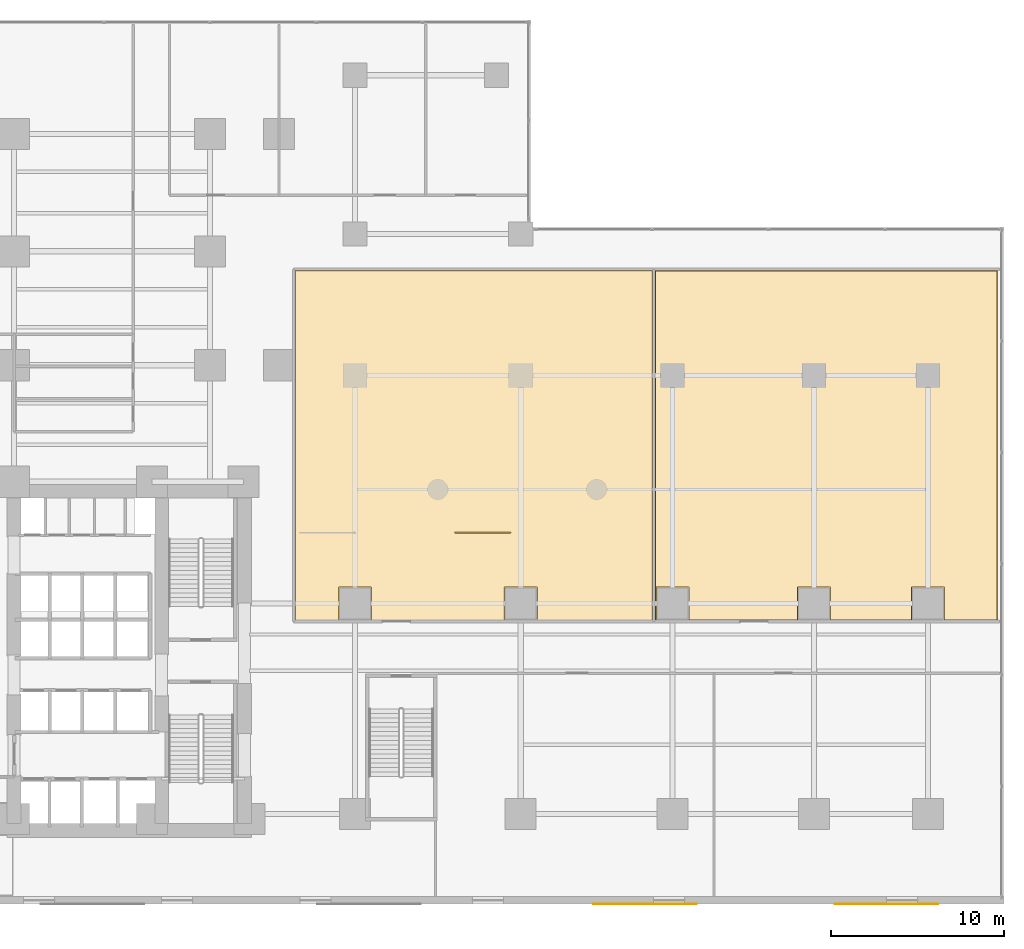
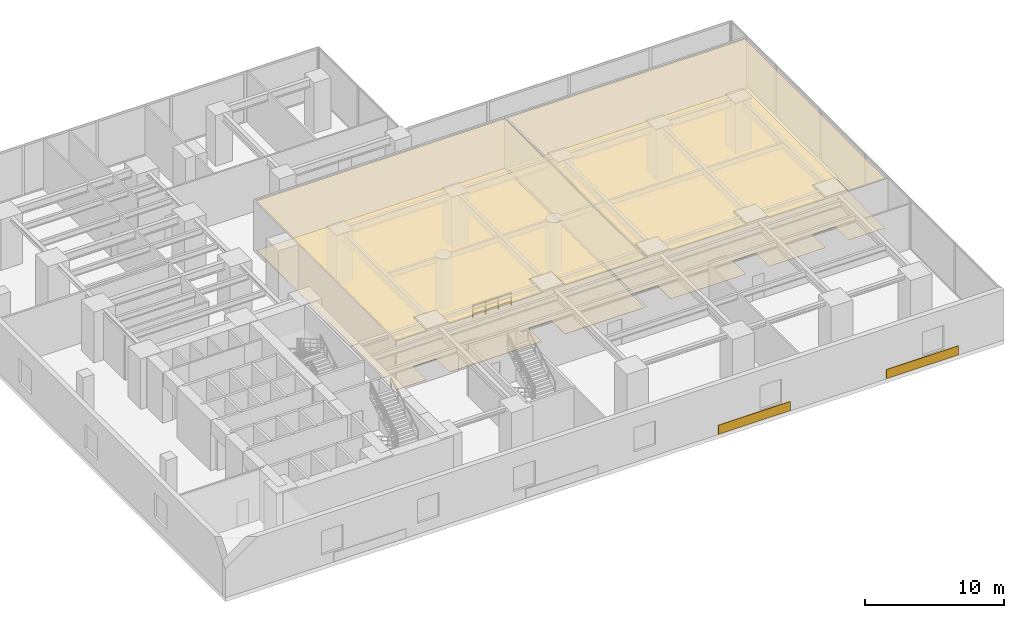
# One storey, part 16 of 16: 6 coverings, 1 railing.
"""IFC4 building model written with IfcOpenShell, lengths in metres."""

from ifc_helpers import new_model, si_unit, direction, frame, origin, origin_2d, place, context, subcontext, project, spatial, polyline, rectangle, circle, outline, extrude, material, layer, layer_set, type_object, element, save


model = new_model("IFC4")

# Units and contexts
model_context = context("Model", 3, precision=1e-05, world=origin(), true_north=direction((0.0, 1.0)))
body_context = subcontext(model_context, "Body", "Model", "MODEL_VIEW")
ifc_project = project(units=[si_unit("LENGTHUNIT", "METRE"), si_unit("AREAUNIT", "SQUARE_METRE"), si_unit("VOLUMEUNIT", "CUBIC_METRE"), si_unit("PLANEANGLEUNIT", "RADIAN"), si_unit("MASSUNIT", "GRAM", prefix="KILO")], contexts=[model_context])

# Site, building, storey
site_placement = place(None, origin())
site = spatial("IfcSite", under=ifc_project, at=site_placement, CompositionType="ELEMENT")
building_placement = place(site_placement, origin())
building = spatial("IfcBuilding", under=site, at=building_placement, Name="Kolvaren Waterfront Exchange", CompositionType="ELEMENT")
storey_placement = place(building_placement, frame((0.0, 0.0, 10.39990234375)))
storey = spatial("IfcBuildingStorey", under=building, at=storey_placement, Name="L03", CompositionType="ELEMENT", Elevation=10.39990234375)

# Railing
ifc_material_1 = material(Name="Anodised bronze aluminium and laminated glass", Category="aluminium")
railing_type = type_object("IfcRailingType", Name="ARC-BALUSTRADE-1150", PredefinedType="BALUSTRADE", material=ifc_material_1)
railing_placement = place(storey_placement, frame((33.0, 21.5, 0.0)))
element("IfcRailing", 1, at=railing_placement, inside=storey, type_object=railing_type, Name="L03 gallery balustrade 2", PredefinedType="BALUSTRADE", context=body_context, shape_type="SweptSolid", body=[
    extrude(circle(Radius=0.02392578125, at=origin_2d()), frame((0.0, 0.0, 1.1259765625), z_axis=(1.0, 0.0, 0.0), x_axis=(0.0, 1.0, 0.0)), (0.0, 0.0, 1.0), 3.199951171875),
    extrude(circle(Radius=0.01611328125, at=origin_2d()), frame((0.0, 0.0, 0.390869140625), z_axis=(1.0, 0.0, 0.0), x_axis=(0.0, 1.0, 0.0)), (0.0, 0.0, 1.0), 3.199951171875),
    extrude(circle(Radius=0.01611328125, at=origin_2d()), frame((0.0, 0.0, 0.7705078125), z_axis=(1.0, 0.0, 0.0), x_axis=(0.0, 1.0, 0.0)), (0.0, 0.0, 1.0), 3.199951171875),
    extrude(circle(Radius=0.02099609375, at=origin_2d()), origin(), (0.0, 0.0, 1.0), 1.101806640625),
    extrude(circle(Radius=0.02099609375, at=origin_2d()), frame((1.066650390625, 0.0, 0.0)), (0.0, 0.0, 1.0), 1.101806640625),
    extrude(circle(Radius=0.02099609375, at=origin_2d()), frame((2.13330078125, 0.0, 0.0)), (0.0, 0.0, 1.0), 1.101806640625),
    extrude(circle(Radius=0.02099609375, at=origin_2d()), frame((3.199951171875, 0.0, 0.0)), (0.0, 0.0, 1.0), 1.101806640625),
])

# Coverings
ifc_material_2 = material(Name="Mineral fibre acoustic ceiling tile")
ifc_layer_1 = layer(ifc_material_2, 0.02490234375, Name="Mineral fibre acoustic ceiling tile")
ifc_layer_set_1 = layer_set([ifc_layer_1], Name="Mineral fibre acoustic ceiling tile")
covering_type_1 = type_object("IfcCoveringType", Name="ARC-CEIL-ACOUSTIC-25", PredefinedType="CEILING", material=ifc_layer_set_1)
covering_1_placement = place(storey_placement, frame((0.0, 0.0, 4.34521484375)))
element("IfcCovering", 2, at=covering_1_placement, inside=storey, type_object=covering_type_1, Name="L03 acoustic suspended ceiling 3", PredefinedType="CEILING", context=body_context, shape_type="SweptSolid", body=[
    extrude(outline(polyline([(64.43505859375, 16.4150390625), (64.43505859375, 36.68505859375), (44.56494140625, 36.68505859375), (44.56494140625, 16.4150390625), (44.675048828125, 16.4150390625), (44.675048828125, 16.4599609375), (44.659912109375, 16.4599609375), (44.659912109375, 18.340087890625), (46.5400390625, 18.340087890625), (46.5400390625, 16.4599609375), (46.52490234375, 16.4599609375), (46.52490234375, 16.4150390625), (52.875, 16.4150390625), (52.875, 16.4599609375), (52.860107421875, 16.4599609375), (52.860107421875, 18.340087890625), (54.739990234375, 18.340087890625), (54.739990234375, 16.4599609375), (54.72509765625, 16.4599609375), (54.72509765625, 16.4150390625), (59.47509765625, 16.4150390625), (59.47509765625, 16.4599609375), (59.4599609375, 16.4599609375), (59.4599609375, 18.340087890625), (61.340087890625, 18.340087890625), (61.340087890625, 16.4599609375), (61.324951171875, 16.4599609375), (61.324951171875, 16.4150390625), (64.43505859375, 16.4150390625)])), origin(), (0.0, 0.0, 1.0), 0.02490234375),
])
ifc_material_3 = material(Name="Perforated bronze acoustic ceiling panel", Category="aluminium")
ifc_layer_2 = layer(ifc_material_3, 0.054931640625, Name="Perforated bronze acoustic ceiling panel")
ifc_layer_set_2 = layer_set([ifc_layer_2], Name="Perforated bronze acoustic ceiling panel")
covering_type_2 = type_object("IfcCoveringType", Name="ARC-CEIL-BAFFLE-55", PredefinedType="CEILING", material=ifc_layer_set_2)
covering_2_placement = place(storey_placement, frame((0.0, 0.0, 4.315185546875)))
element("IfcCovering", 3, at=covering_2_placement, inside=storey, type_object=covering_type_2, Name="L03 acoustic suspended ceiling 2", PredefinedType="CEILING", context=body_context, shape_type="SweptSolid", body=[
    extrude(outline(polyline([(23.715087890625, 32.139892578125), (23.739990234375, 32.139892578125), (23.739990234375, 30.260009765625), (23.715087890625, 30.260009765625), (23.715087890625, 16.4150390625), (26.27490234375, 16.4150390625), (26.27490234375, 16.4599609375), (26.260009765625, 16.4599609375), (26.260009765625, 18.340087890625), (28.139892578125, 18.340087890625), (28.139892578125, 16.4599609375), (28.125, 16.4599609375), (28.125, 16.4150390625), (35.875, 16.4150390625), (35.875, 16.4599609375), (35.860107421875, 16.4599609375), (35.860107421875, 18.340087890625), (37.739990234375, 18.340087890625), (37.739990234375, 16.4599609375), (37.72509765625, 16.4599609375), (37.72509765625, 16.4150390625), (44.43505859375, 16.4150390625), (44.43505859375, 36.68505859375), (23.715087890625, 36.68505859375), (23.715087890625, 32.139892578125)])), origin(), (0.0, 0.0, 1.0), 0.054931640625),
])
ifc_material_4 = material(Name="Honed grey-taupe granite stone", Category="masonry")
ifc_layer_3 = layer(ifc_material_4, 0.044921875, Name="Honed grey-taupe granite stone")
ifc_layer_set_3 = layer_set([ifc_layer_3], Name="Honed grey-taupe granite stone")
covering_type_3 = type_object("IfcCoveringType", Name="ARC-CLAD-GRANITE-45", PredefinedType="CLADDING", material=ifc_layer_set_3)
for number, where, z_axis, x_axis, name in (
    (4, (44.0, -0.02001953125, 0.05029296875), (0.0, 0.0, 1.0), (1.0, 0.0, 0.0), "L03 honed grey-taupe granite spandrel cladding S3"),
    (5, (58.0, -0.02001953125, 0.05029296875), (0.0, 0.0, 1.0), (1.0, 0.0, 0.0), "L03 honed grey-taupe granite spandrel cladding S4"),
):
    element("IfcCovering", number, at=place(storey_placement, frame(where, z_axis=z_axis, x_axis=x_axis)), inside=storey, type_object=covering_type_3, Name=name, PredefinedType="CLADDING", context=body_context, shape_type="SweptSolid", body=[
        extrude(rectangle(XDim=6.0, YDim=0.044921875, at=origin_2d()), origin(), (0.0, 0.0, 1.0), 0.800048828125),
    ])
ifc_material_5 = material(Name="Slip-resistant porcelain tile")
ifc_layer_4 = layer(ifc_material_5, 0.014892578125, Name="Slip-resistant porcelain tile")
ifc_layer_set_4 = layer_set([ifc_layer_4], Name="Slip-resistant porcelain tile")
covering_type_4 = type_object("IfcCoveringType", Name="ARC-FLR-PORC-15", PredefinedType="FLOORING", material=ifc_layer_set_4)
covering_3_placement = place(storey_placement, origin())
element("IfcCovering", 6, at=covering_3_placement, inside=storey, type_object=covering_type_4, Name="L03 floor finish 3", PredefinedType="FLOORING", context=body_context, shape_type="SweptSolid", body=[
    extrude(outline(polyline([(44.60009765625, 36.64990234375), (44.60009765625, 16.449951171875), (44.639892578125, 16.449951171875), (44.639892578125, 18.360107421875), (46.56005859375, 18.360107421875), (46.56005859375, 16.449951171875), (52.840087890625, 16.449951171875), (52.840087890625, 18.360107421875), (54.760009765625, 18.360107421875), (54.760009765625, 16.449951171875), (59.43994140625, 16.449951171875), (59.43994140625, 18.360107421875), (61.360107421875, 18.360107421875), (61.360107421875, 16.449951171875), (64.39990234375, 16.449951171875), (64.39990234375, 36.64990234375), (44.60009765625, 36.64990234375)])), origin(), (0.0, 0.0, 1.0), 0.01513671875),
])
ifc_material_6 = material(Name="Polished granite terrazzo tile", Category="masonry")
ifc_layer_5 = layer(ifc_material_6, 0.030029296875, Name="Polished granite terrazzo tile")
ifc_layer_set_5 = layer_set([ifc_layer_5], Name="Polished granite terrazzo tile")
covering_type_5 = type_object("IfcCoveringType", Name="ARC-FLR-TERRAZZO-30", PredefinedType="FLOORING", material=ifc_layer_set_5)
covering_4_placement = place(storey_placement, origin())
element("IfcCovering", 7, at=covering_4_placement, inside=storey, type_object=covering_type_5, Name="L03 floor finish 2", PredefinedType="FLOORING", context=body_context, shape_type="SweptSolid", body=[
    extrude(outline(polyline([(23.75, 30.239990234375), (23.75, 16.449951171875), (26.239990234375, 16.449951171875), (26.239990234375, 18.360107421875), (28.159912109375, 18.360107421875), (28.159912109375, 16.449951171875), (35.840087890625, 16.449951171875), (35.840087890625, 18.360107421875), (37.760009765625, 18.360107421875), (37.760009765625, 16.449951171875), (44.39990234375, 16.449951171875), (44.39990234375, 36.64990234375), (23.75, 36.64990234375), (23.75, 32.159912109375), (23.760009765625, 32.159912109375), (23.760009765625, 30.239990234375), (23.75, 30.239990234375)])), origin(), (0.0, 0.0, 1.0), 0.030029296875),
])

save(model, "model.ifc")
